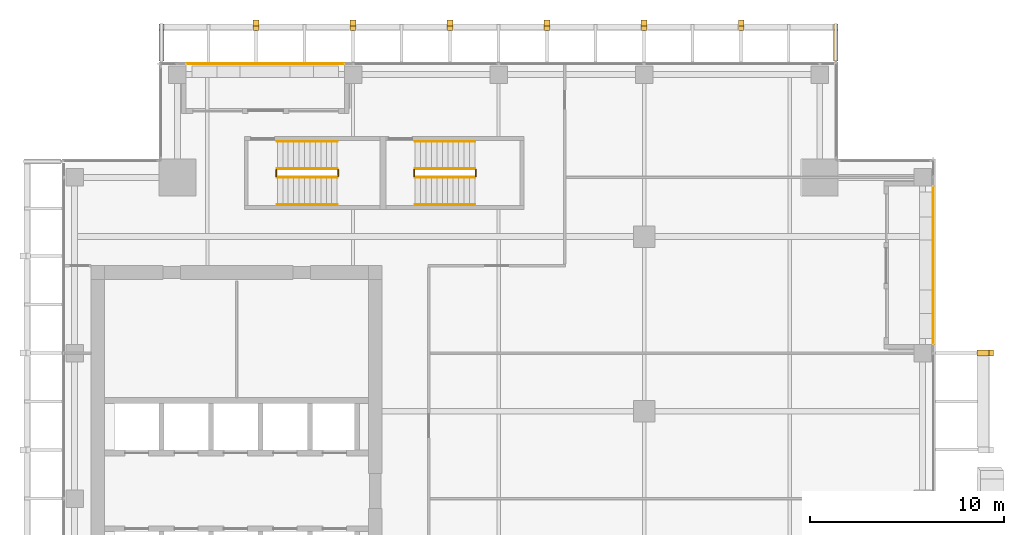
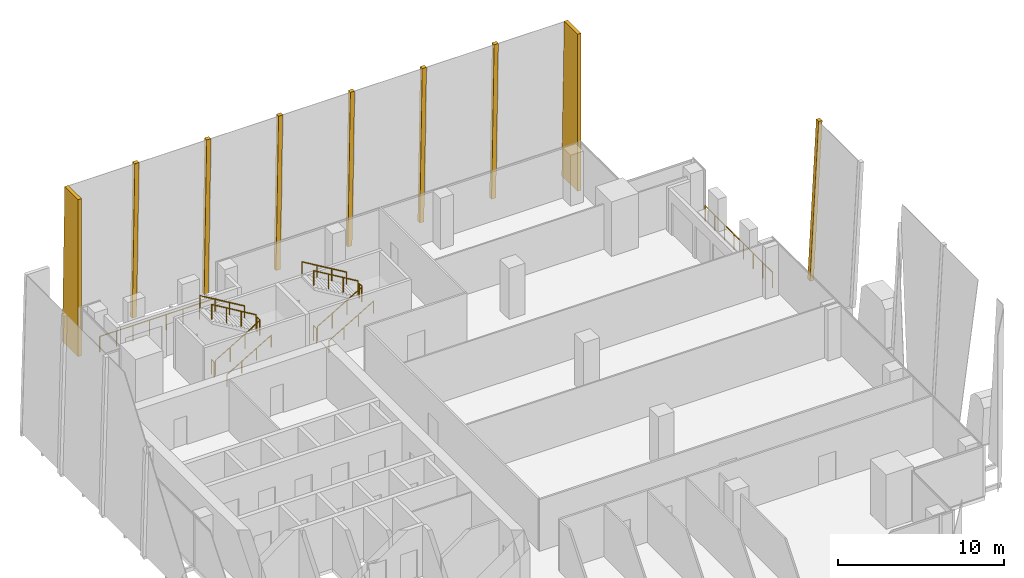
# One storey, part 34 of 35: 14 railings, 9 coverings.
"""IFC4 building model written with IfcOpenShell, lengths in metres."""

import ifcopenshell
import ifcopenshell.guid

model = None  # the IFC model being written
_history = None  # IfcOwnerHistory: only IFC2X3 demands one
_inside = {}  # id of a spatial element -> (the spatial element, [elements in it])
_under = {}  # id of a project, library or spatial element -> (it, [spatial elements below it])
_declared = {}  # id of a project -> (the project, [libraries it declares])
_typed = {}  # id of a type object -> (the type object, [elements of that type])
_made_of = {}  # id of a material, layer set ... -> (it, [elements and type objects made of it])


def new_model(schema):
    """Start an empty IFC model of exactly this schema.

    Asked for "IFC4X3", IfcOpenShell would pick the latest addendum, in which some entities
    have other attributes; the version numbers below select the first issue.
    IFC2X3 requires an IfcOwnerHistory on every rooted entity: one is made here for all.
    """
    global model, _history
    if schema == "IFC4X3":
        model = ifcopenshell.file(schema_version=(4, 3, 0, 0))
    else:
        model = ifcopenshell.file(schema=schema)
    _inside.clear()
    _under.clear()
    _declared.clear()
    _typed.clear()
    _made_of.clear()
    _history = None
    if model.schema == "IFC2X3":
        org = make("IfcOrganization", Name="unknown")
        user = make(
            "IfcPersonAndOrganization",
            ThePerson=make("IfcPerson", FamilyName="unknown"),
            TheOrganization=org,
        )
        app = make(
            "IfcApplication",
            ApplicationDeveloper=org,
            Version="unknown",
            ApplicationFullName="unknown",
            ApplicationIdentifier="unknown",
        )
        _history = make(
            "IfcOwnerHistory",
            OwningUser=user,
            OwningApplication=app,
            ChangeAction="ADDED",
            CreationDate=0,
        )
    return model


def make(cls, **values):
    """One entity of the class cls with the attributes given. An attribute that is None is left unset."""
    return model.create_entity(
        cls, **{name: value for name, value in values.items() if value is not None}
    )


def rooted(cls, **values):
    """An entity with a GlobalId (a new one), such as an element, a storey or a relation."""
    return make(cls, GlobalId=ifcopenshell.guid.new(), OwnerHistory=_history, **values)


def si_unit(unit_type, name, prefix=None):
    """IfcSIUnit, for example si_unit("LENGTHUNIT", "METRE", prefix="MILLI")."""
    return make("IfcSIUnit", UnitType=unit_type, Prefix=prefix, Name=name)


def assignment(units):
    """IfcUnitAssignment: the units of a project."""
    return None if units is None else make("IfcUnitAssignment", Units=units)


def point(xyz):
    """IfcCartesianPoint."""
    return None if xyz is None else make("IfcCartesianPoint", Coordinates=xyz)


def direction(xyz):
    """IfcDirection."""
    return None if xyz is None else make("IfcDirection", DirectionRatios=xyz)


def frame(location, z_axis=None, x_axis=None):
    """IfcAxis2Placement3D, a coordinate frame: its origin and axes. An axis left out is left unset."""
    return make(
        "IfcAxis2Placement3D",
        Location=point(location),
        Axis=direction(z_axis),
        RefDirection=direction(x_axis),
    )


def frame_2d(location, x_axis=None):
    """IfcAxis2Placement2D, a coordinate frame in the plane: its origin and x axis."""
    return make(
        "IfcAxis2Placement2D", Location=point(location), RefDirection=direction(x_axis)
    )


def origin():
    """The frame at (0, 0, 0) with its axes left unset."""
    return frame((0.0, 0.0, 0.0))


def origin_2d():
    """The frame at (0, 0) in the plane with its x axis left unset."""
    return frame_2d((0.0, 0.0))


def place(relative_to, where):
    """IfcLocalPlacement: puts the frame where relative to a parent placement (None: the world)."""
    return make(
        "IfcLocalPlacement", PlacementRelTo=relative_to, RelativePlacement=where
    )


def context(
    kind, dimensions, precision=None, world=None, true_north=None, identifier=None
):
    """IfcGeometricRepresentationContext, for example the 3D "Model" context."""
    return make(
        "IfcGeometricRepresentationContext",
        ContextIdentifier=identifier,
        ContextType=kind,
        CoordinateSpaceDimension=dimensions,
        Precision=precision,
        WorldCoordinateSystem=world,
        TrueNorth=true_north,
    )


def subcontext(parent, identifier, kind, view, scale=None):
    """IfcGeometricRepresentationSubContext, for example "Body" below "Model"."""
    return make(
        "IfcGeometricRepresentationSubContext",
        ContextIdentifier=identifier,
        ContextType=kind,
        ParentContext=parent,
        TargetScale=scale,
        TargetView=view,
    )


def project(units=None, contexts=None):
    """IfcProject with its units and contexts."""
    return rooted(
        "IfcProject",
        Name="project",
        RepresentationContexts=contexts,
        UnitsInContext=assignment(units),
    )


def spatial(cls, under=None, at=None, **own):
    """A site, building, storey or space (cls), placed at a placement, below another one or the project."""
    s = rooted(cls, ObjectPlacement=at, **own)
    if under is not None:
        _under.setdefault(under.id(), (under, []))[1].append(s)
    return s


def polyline(points):
    """IfcPolyline through the points."""
    return make("IfcPolyline", Points=[point(p) for p in points])


def profile(cls, at=None, kind="AREA", **sizes):
    """A parametric profile (cls). Its sizes go by their IFC names, for example OverallWidth=200.0."""
    return make(cls, ProfileType=kind, Position=at, **sizes)


def circle(**sizes):
    """IfcCircleProfileDef."""
    return profile("IfcCircleProfileDef", **sizes)


def outline(outer, holes=None, kind="AREA"):
    """IfcArbitraryClosedProfileDef: a profile drawn as a closed curve; with holes, ...WithVoids."""
    if holes is None:
        return make("IfcArbitraryClosedProfileDef", ProfileType=kind, OuterCurve=outer)
    return make(
        "IfcArbitraryProfileDefWithVoids",
        ProfileType=kind,
        OuterCurve=outer,
        InnerCurves=holes,
    )


def extrude(swept, where, along, depth):
    """IfcExtrudedAreaSolid: the profile swept, set in the frame where, extruded along a direction by depth."""
    return make(
        "IfcExtrudedAreaSolid",
        SweptArea=swept,
        Position=where,
        ExtrudedDirection=direction(along),
        Depth=depth,
    )


def shape(context_of_items, identifier, shape_type, items):
    """IfcShapeRepresentation: the items that make up one representation, for example the "Body"."""
    return make(
        "IfcShapeRepresentation",
        ContextOfItems=context_of_items,
        RepresentationIdentifier=identifier,
        RepresentationType=shape_type,
        Items=items,
    )


def source(mapping_origin, context_of_items, identifier, shape_type, items):
    """IfcRepresentationMap: a shape defined once, which mapped items show again and again."""
    return make(
        "IfcRepresentationMap",
        MappingOrigin=mapping_origin,
        MappedRepresentation=shape(context_of_items, identifier, shape_type, items),
    )


def transform(
    local_origin,
    x_axis=None,
    y_axis=None,
    z_axis=None,
    scale=None,
    scale2=None,
    scale3=None,
    uniform=True,
):
    """IfcCartesianTransformationOperator3D, or its non-uniform kind. x_axis, y_axis, z_axis: its Axis1, 2, 3."""
    if uniform:
        return make(
            "IfcCartesianTransformationOperator3D",
            Axis1=direction(x_axis),
            Axis2=direction(y_axis),
            LocalOrigin=point(local_origin),
            Scale=scale,
            Axis3=direction(z_axis),
        )
    return make(
        "IfcCartesianTransformationOperator3DnonUniform",
        Axis1=direction(x_axis),
        Axis2=direction(y_axis),
        LocalOrigin=point(local_origin),
        Scale=scale,
        Axis3=direction(z_axis),
        Scale2=scale2,
        Scale3=scale3,
    )


def mapped(mapping_source, mapping_target):
    """IfcMappedItem: shows the shape of a source again, moved by a transform."""
    return make(
        "IfcMappedItem", MappingSource=mapping_source, MappingTarget=mapping_target
    )


def material(Name=None, Category=None):
    """IfcMaterial."""
    return make("IfcMaterial", Name=Name, Category=Category)


def layer(
    of_material, thickness, ventilated=None, Name=None, Category=None, Priority=None
):
    """IfcMaterialLayer: one layer of a wall or slab, of a material (None: an air gap)."""
    return make(
        "IfcMaterialLayer",
        Material=of_material,
        LayerThickness=thickness,
        IsVentilated=ventilated,
        Name=Name,
        Category=Category,
        Priority=Priority,
    )


def layer_set(layers, Name=None):
    """IfcMaterialLayerSet."""
    return make("IfcMaterialLayerSet", MaterialLayers=layers, LayerSetName=Name)


def made_of(thing, what):
    """Note that an element or type object is made of a material, layer set ...; save() writes the relation."""
    if what is not None:
        _made_of.setdefault(what.id(), (what, []))[1].append(thing)
    return thing


def type_object(cls, material=None, **own):
    """A type object (cls), such as IfcWallType, which elements share."""
    return made_of(rooted(cls, **own), material)


def element(
    cls,
    number,
    at=None,
    inside=None,
    cuts=None,
    type_object=None,
    material=None,
    context=None,
    identifier="Body",
    shape_type=None,
    held_by="IfcProductDefinitionShape",
    body=None,
    shapes=None,
    **own,
):
    """One element of the class cls, such as IfcWall. Its Tag is "e" and its number.

    at: its placement. inside: the storey or other place that contains it. cuts: it is an
    opening in that element (IfcRelVoidsElement). A single representation is given by context,
    identifier, shape_type and body (its items); several are given by shapes. held_by: the class
    of the entity that holds the representations. save() writes the other relations.
    """
    e = rooted(cls, Tag="e%d" % number, ObjectPlacement=at, **own)
    if body is not None:
        shapes = [shape(context, identifier, shape_type, body)]
    if shapes is not None:
        e.Representation = make(held_by, Representations=shapes)
    if inside is not None:
        _inside.setdefault(inside.id(), (inside, []))[1].append(e)
    if cuts is not None:
        rooted(
            "IfcRelVoidsElement", RelatingBuildingElement=cuts, RelatedOpeningElement=e
        )
    if type_object is not None:
        _typed.setdefault(type_object.id(), (type_object, []))[1].append(e)
    return made_of(e, material)


def aggregate(whole, parts):
    """IfcRelAggregates: a whole, such as a stair, and the parts it consists of."""
    return rooted("IfcRelAggregates", RelatingObject=whole, RelatedObjects=parts)


def save(model, path):
    """Write the relations noted so far, then the file.

    IfcRelAggregates (storeys below a building ...), IfcRelContainedInSpatialStructure (elements
    in a storey), IfcRelDefinesByType, IfcRelAssociatesMaterial and IfcRelDeclares: one each for
    every whole, place, type object, material and project.
    """
    for whole, parts in _under.values():
        aggregate(whole, parts)
    for where, things in _inside.values():
        rooted(
            "IfcRelContainedInSpatialStructure",
            RelatedElements=things,
            RelatingStructure=where,
        )
    for kind, things in _typed.values():
        rooted("IfcRelDefinesByType", RelatedObjects=things, RelatingType=kind)
    for what, things in _made_of.values():
        rooted("IfcRelAssociatesMaterial", RelatedObjects=things, RelatingMaterial=what)
    for by, libraries in _declared.values():
        rooted("IfcRelDeclares", RelatingContext=by, RelatedDefinitions=libraries)
    model.write(path)


model = new_model("IFC4")

# Units and contexts
model_context = context("Model", 3, precision=1e-05, world=origin(), true_north=direction((0.0, 1.0)))
body_context = subcontext(model_context, "Body", "Model", "MODEL_VIEW")
ifc_project = project(units=[si_unit("LENGTHUNIT", "METRE"), si_unit("AREAUNIT", "SQUARE_METRE"), si_unit("VOLUMEUNIT", "CUBIC_METRE"), si_unit("PLANEANGLEUNIT", "RADIAN"), si_unit("MASSUNIT", "GRAM", prefix="KILO")], contexts=[model_context])

# Site, building, storey
site_placement = place(None, origin())
site = spatial("IfcSite", under=ifc_project, at=site_placement, CompositionType="ELEMENT")
building_placement = place(site_placement, origin())
building = spatial("IfcBuilding", under=site, at=building_placement, Name="Khomas Fold Tower", CompositionType="ELEMENT")
storey_placement = place(building_placement, frame((0.0, 0.0, 246.199951171875)))
storey = spatial("IfcBuildingStorey", under=building, at=storey_placement, Name="L55", CompositionType="ELEMENT", Elevation=246.199951171875)

# Coverings
ifc_material_1 = material(Name="Natural stone cladding", Category="masonry")
ifc_layer = layer(ifc_material_1, 0.25)
ifc_layer_set = layer_set([ifc_layer], Name="Natural stone cladding")
covering_type = type_object("IfcCoveringType", Name="SK-Karibib marble stone mullion", PredefinedType="CLADDING", material=ifc_layer_set)
covering_1_placement = place(storey_placement, frame((51.65771484375, 34.35009765625, 0.0), z_axis=(-0.99862882819, 0.0, 0.052349436554), x_axis=(0.052349436554, 0.0, 0.99862882819)))
element("IfcCovering", 1, at=covering_1_placement, inside=storey, type_object=covering_type, Name="OUTER SKIN mullion L55 EM103-10", PredefinedType="CLADDING", context=body_context, shape_type="SweptSolid", body=[
    extrude(outline(polyline([(0.0, 0.0), (11.565907674683308, 0.0), (11.565907674683308, 0.2998046875), (0.0, 0.2998046875), (0.0, 0.0)])), origin(), (0.0, 0.0, -1.0), 0.25),
])
for number, where, z_axis, x_axis, name in (
    (2, (14.35009765625, 51.660888671875, 0.006591796875), (0.0, 0.999657230839, 0.026180543005), (1.0, 0.0, 0.0), "OUTER SKIN mullion L55 N2"),
    (3, (19.35009765625, 51.660888671875, 0.006591796875), (0.0, 0.999657230839, 0.026180543005), (1.0, 0.0, 0.0), "OUTER SKIN mullion L55 N4"),
    (4, (24.35009765625, 51.660888671875, 0.006591796875), (0.0, 0.999657230839, 0.026180543005), (1.0, 0.0, 0.0), "OUTER SKIN mullion L55 N6"),
    (5, (29.35009765625, 51.660888671875, 0.006591796875), (0.0, 0.999657230839, 0.026180543005), (1.0, 0.0, 0.0), "OUTER SKIN mullion L55 N8"),
    (6, (34.35009765625, 51.660888671875, 0.006591796875), (0.0, 0.999657230839, 0.026180543005), (1.0, 0.0, 0.0), "OUTER SKIN mullion L55 N10"),
    (7, (39.35009765625, 51.660888671875, 0.006591796875), (0.0, 0.999657230839, 0.026180543005), (1.0, 0.0, 0.0), "OUTER SKIN mullion L55 N12"),
):
    element("IfcCovering", number, at=place(storey_placement, frame(where, z_axis=z_axis, x_axis=x_axis)), inside=storey, type_object=covering_type, Name=name, PredefinedType="CLADDING", context=body_context, shape_type="SweptSolid", body=[
        extrude(outline(polyline([(0.0, 0.0), (0.2998046875, 0.0), (0.2998046875, -11.554009186164079), (0.0, -11.554009186164079), (0.0, 0.0)])), origin(), (0.0, 0.0, -1.0), 0.25),
    ])
covering_2_placement = place(storey_placement, frame((9.5, 49.550048828125, 11.550048828125), z_axis=(-1.0, 0.0, 0.0), x_axis=(0.0, 1.0, 0.0)))
element("IfcCovering", 8, at=covering_2_placement, inside=storey, type_object=covering_type, Name="OUTER SKIN return L55 N1", PredefinedType="CLADDING", context=body_context, shape_type="SweptSolid", body=[
    extrude(outline(polyline([(0.0, 0.0), (1.598388671875, 0.0), (1.90087890625, 11.550048828125), (0.0, 11.550048828125), (0.0, 0.0)])), origin(), (0.0, 0.0, -1.0), 0.25),
])
covering_3_placement = place(storey_placement, frame((44.5, 49.550048828125, 0.0), z_axis=(1.0, 0.0, 0.0), x_axis=(0.0, 1.0, 0.0)))
element("IfcCovering", 9, at=covering_3_placement, inside=storey, type_object=covering_type, Name="OUTER SKIN return L55 N2", PredefinedType="CLADDING", context=body_context, shape_type="SweptSolid", body=[
    extrude(outline(polyline([(0.0, 0.0), (1.90087890625, 0.0), (1.598388671875, 11.550048828125), (0.0, 11.550048828125), (0.0, 0.0)])), origin(), (0.0, 0.0, -1.0), 0.25),
])

# Railings
ifc_material_2 = material(Name="Powder-coated steel", Category="steel")
railing_type_1 = type_object("IfcRailingType", Name="Balcony guard", PredefinedType="GUARDRAIL", material=ifc_material_2)
shared_shape_1 = source(origin(), body_context, "Body", "SweptSolid", [
    extrude(circle(Radius=0.02490234375, at=origin_2d()), frame((0.0, 0.0, 1.125), z_axis=(1.0, 0.0, 0.0), x_axis=(0.0, 1.0, 0.0)), (0.0, 0.0, 1.0), 8.090087890625),
    extrude(circle(Radius=0.02001953125, at=origin_2d()), origin(), (0.0, 0.0, 1.0), 1.099853515625),
    extrude(circle(Radius=0.02001953125, at=origin_2d()), frame((1.15576171875, 0.0, 0.0)), (0.0, 0.0, 1.0), 1.099853515625),
    extrude(circle(Radius=0.02001953125, at=origin_2d()), frame((2.3115234375, 0.0, 0.0)), (0.0, 0.0, 1.0), 1.099853515625),
    extrude(circle(Radius=0.02001953125, at=origin_2d()), frame((3.46728515625, 0.0, 0.0)), (0.0, 0.0, 1.0), 1.099853515625),
    extrude(circle(Radius=0.02001953125, at=origin_2d()), frame((4.622802734375, 0.0, 0.0)), (0.0, 0.0, 1.0), 1.099853515625),
    extrude(circle(Radius=0.02001953125, at=origin_2d()), frame((5.778564453125, 0.0, 0.0)), (0.0, 0.0, 1.0), 1.099853515625),
    extrude(circle(Radius=0.02001953125, at=origin_2d()), frame((6.934326171875, 0.0, 0.0)), (0.0, 0.0, 1.0), 1.099853515625),
    extrude(circle(Radius=0.02001953125, at=origin_2d()), frame((8.090087890625, 0.0, 0.0)), (0.0, 0.0, 1.0), 1.099853515625),
])
railing_1_placement = place(storey_placement, frame((10.929931640625, 49.39990234375, -0.044921875)))
element("IfcRailing", 10, at=railing_1_placement, inside=storey, type_object=railing_type_1, Name="Balcony guard BAL-L55-N1", PredefinedType="GUARDRAIL", context=body_context, shape_type="MappedRepresentation", body=[
    mapped(shared_shape_1, transform((0.0, 0.0, 0.0))),
])
shared_shape_2 = source(origin(), body_context, "Body", "SweptSolid", [
    extrude(circle(Radius=0.02490234375, at=origin_2d()), frame((0.0, 0.0, 1.125), z_axis=(0.0, 1.0, 0.0), x_axis=(-1.0, 0.0, 0.0)), (0.0, 0.0, 1.0), 8.090087890625),
    extrude(circle(Radius=0.02001953125, at=origin_2d()), origin(), (0.0, 0.0, 1.0), 1.099853515625),
    extrude(circle(Radius=0.02001953125, at=origin_2d()), frame((0.0, 1.15576171875, 0.0)), (0.0, 0.0, 1.0), 1.099853515625),
    extrude(circle(Radius=0.02001953125, at=origin_2d()), frame((0.0, 2.3115234375, 0.0)), (0.0, 0.0, 1.0), 1.099853515625),
    extrude(circle(Radius=0.02001953125, at=origin_2d()), frame((0.0, 3.46728515625, 0.0)), (0.0, 0.0, 1.0), 1.099853515625),
    extrude(circle(Radius=0.02001953125, at=origin_2d()), frame((0.0, 4.622802734375, 0.0)), (0.0, 0.0, 1.0), 1.099853515625),
    extrude(circle(Radius=0.02001953125, at=origin_2d()), frame((0.0, 5.778564453125, 0.0)), (0.0, 0.0, 1.0), 1.099853515625),
    extrude(circle(Radius=0.02001953125, at=origin_2d()), frame((0.0, 6.934326171875, 0.0)), (0.0, 0.0, 1.0), 1.099853515625),
    extrude(circle(Radius=0.02001953125, at=origin_2d()), frame((0.0, 8.090087890625, 0.0)), (0.0, 0.0, 1.0), 1.099853515625),
])
railing_2_placement = place(storey_placement, frame((49.39990234375, 34.97998046875, -0.044921875)))
element("IfcRailing", 11, at=railing_2_placement, inside=storey, type_object=railing_type_1, Name="Balcony guard BAL-L55-E4", PredefinedType="GUARDRAIL", context=body_context, shape_type="MappedRepresentation", body=[
    mapped(shared_shape_2, transform((0.0, 0.0, 0.0))),
])
ifc_material_3 = material(Name="Steel balustrade", Category="steel")
railing_type_2 = type_object("IfcRailingType", Name="Stair guard", PredefinedType="GUARDRAIL", material=ifc_material_3)
shared_shape_3 = source(origin(), body_context, "Body", "SweptSolid", [
    extrude(circle(Radius=0.02392578125, at=origin_2d()), frame((0.0, 0.0, 1.076171875), z_axis=(0.0, 1.0, 0.0), x_axis=(-1.0, 0.0, 0.0)), (0.0, 0.0, 1.0), 0.349853515625),
    extrude(circle(Radius=0.02099609375, at=origin_2d()), origin(), (0.0, 0.0, 1.0), 1.052001953125),
    extrude(circle(Radius=0.02099609375, at=origin_2d()), frame((0.0, 0.349853515625, 0.0)), (0.0, 0.0, 1.0), 1.052001953125),
])
for number, where, name in (
    (12, (18.72998046875, 43.60009765625, 2.0), "L55 ST1 stair guard 2"),
    (13, (15.550048828125, 43.60009765625, 0.0), "L55 ST1 stair guard 4"),
    (14, (25.830078125, 43.60009765625, 2.0), "L55 ST3 stair guard 2"),
    (15, (22.64990234375, 43.60009765625, 0.0), "L55 ST3 stair guard 4"),
):
    element("IfcRailing", number, at=place(storey_placement, frame(where)), inside=storey, type_object=railing_type_2, Name=name, PredefinedType="GUARDRAIL", context=body_context, shape_type="MappedRepresentation", body=[
        mapped(shared_shape_3, transform((0.0, 0.0, 0.0))),
    ])
shared_shape_4 = source(origin(), body_context, "Body", "SweptSolid", [
    extrude(circle(Radius=0.02392578125, at=origin_2d()), frame((0.0, 0.0, 1.076171875), z_axis=(0.859290745958, 0.0, 0.51148745235), x_axis=(0.0, 1.0, 0.0)), (0.0, 0.0, 1.0), 3.584228515625),
    extrude(circle(Radius=0.02099609375, at=origin_2d()), origin(), (0.0, 0.0, 1.0), 1.052001953125),
    extrude(circle(Radius=0.02099609375, at=origin_2d()), frame((1.026611328125, 0.0, 0.611083984375)), (0.0, 0.0, 1.0), 1.052001953125),
    extrude(circle(Radius=0.02099609375, at=origin_2d()), frame((2.05322265625, 0.0, 1.22216796875)), (0.0, 0.0, 1.0), 1.052001953125),
    extrude(circle(Radius=0.02099609375, at=origin_2d()), frame((3.079833984375, 0.0, 1.833251953125)), (0.0, 0.0, 1.0), 1.052001953125),
])
railing_3_placement = place(storey_placement, frame((15.60009765625, 43.550048828125, 0.166748046875)))
element("IfcRailing", 16, at=railing_3_placement, inside=storey, type_object=railing_type_2, Name="L55 ST1 stair guard 1", PredefinedType="GUARDRAIL", context=body_context, shape_type="MappedRepresentation", body=[
    mapped(shared_shape_4, transform((0.0, 0.0, 0.0))),
])
shared_shape_5 = source(origin(), body_context, "Body", "SweptSolid", [
    extrude(circle(Radius=0.02392578125, at=origin_2d()), frame((0.0, 0.0, 1.076171875), z_axis=(-0.859290745958, 0.0, 0.51148745235), x_axis=(0.0, -1.0, 0.0)), (0.0, 0.0, 1.0), 3.584228515625),
    extrude(circle(Radius=0.02099609375, at=origin_2d()), origin(), (0.0, 0.0, 1.0), 1.052001953125),
    extrude(circle(Radius=0.02099609375, at=origin_2d()), frame((-1.026611328125, 0.0, 0.611083984375)), (0.0, 0.0, 1.0), 1.052001953125),
    extrude(circle(Radius=0.02099609375, at=origin_2d()), frame((-2.05322265625, 0.0, 1.22216796875)), (0.0, 0.0, 1.0), 1.052001953125),
    extrude(circle(Radius=0.02099609375, at=origin_2d()), frame((-3.079833984375, 0.0, 1.833251953125)), (0.0, 0.0, 1.0), 1.052001953125),
])
railing_4_placement = place(storey_placement, frame((18.679931640625, 44.0, 2.166748046875)))
element("IfcRailing", 17, at=railing_4_placement, inside=storey, type_object=railing_type_2, Name="L55 ST1 stair guard 3", PredefinedType="GUARDRAIL", context=body_context, shape_type="MappedRepresentation", body=[
    mapped(shared_shape_5, transform((0.0, 0.0, 0.0))),
])
ifc_material_4 = material(Name="Steel handrail", Category="steel")
railing_type_3 = type_object("IfcRailingType", Name="Stair handrail", PredefinedType="HANDRAIL", material=ifc_material_4)
shared_shape_6 = source(origin(), body_context, "Body", "SweptSolid", [
    extrude(circle(Radius=0.02392578125, at=origin_2d()), frame((0.0, 0.0, 0.8759765625), z_axis=(0.859290745958, 0.0, 0.51148745235), x_axis=(0.0, 1.0, 0.0)), (0.0, 0.0, 1.0), 3.584228515625),
    extrude(circle(Radius=0.02099609375, at=origin_2d()), origin(), (0.0, 0.0, 1.0), 0.851806640625),
    extrude(circle(Radius=0.02099609375, at=origin_2d()), frame((1.026611328125, 0.0, 0.611083984375)), (0.0, 0.0, 1.0), 0.851806640625),
    extrude(circle(Radius=0.02099609375, at=origin_2d()), frame((2.05322265625, 0.0, 1.22216796875)), (0.0, 0.0, 1.0), 0.851806640625),
    extrude(circle(Radius=0.02099609375, at=origin_2d()), frame((3.079833984375, 0.0, 1.833251953125)), (0.0, 0.0, 1.0), 0.851806640625),
])
railing_5_placement = place(storey_placement, frame((15.60009765625, 42.14990234375, 0.166748046875)))
element("IfcRailing", 18, at=railing_5_placement, inside=storey, type_object=railing_type_3, Name="L55 ST1 stair handrail 1", PredefinedType="HANDRAIL", context=body_context, shape_type="MappedRepresentation", body=[
    mapped(shared_shape_6, transform((0.0, 0.0, 0.0))),
])
shared_shape_7 = source(origin(), body_context, "Body", "SweptSolid", [
    extrude(circle(Radius=0.02392578125, at=origin_2d()), frame((0.0, 0.0, 0.8759765625), z_axis=(-0.859290745958, 0.0, 0.51148745235), x_axis=(0.0, -1.0, 0.0)), (0.0, 0.0, 1.0), 3.584228515625),
    extrude(circle(Radius=0.02099609375, at=origin_2d()), origin(), (0.0, 0.0, 1.0), 0.851806640625),
    extrude(circle(Radius=0.02099609375, at=origin_2d()), frame((-1.026611328125, 0.0, 0.611083984375)), (0.0, 0.0, 1.0), 0.851806640625),
    extrude(circle(Radius=0.02099609375, at=origin_2d()), frame((-2.05322265625, 0.0, 1.22216796875)), (0.0, 0.0, 1.0), 0.851806640625),
    extrude(circle(Radius=0.02099609375, at=origin_2d()), frame((-3.079833984375, 0.0, 1.833251953125)), (0.0, 0.0, 1.0), 0.851806640625),
])
railing_6_placement = place(storey_placement, frame((18.679931640625, 45.39990234375, 2.166748046875)))
element("IfcRailing", 19, at=railing_6_placement, inside=storey, type_object=railing_type_3, Name="L55 ST1 stair handrail 2", PredefinedType="HANDRAIL", context=body_context, shape_type="MappedRepresentation", body=[
    mapped(shared_shape_7, transform((0.0, 0.0, 0.0))),
])
shared_shape_8 = source(origin(), body_context, "Body", "SweptSolid", [
    extrude(circle(Radius=0.02392578125, at=origin_2d()), frame((0.0, 0.0, 1.076171875), z_axis=(0.859308565015, 0.0, 0.511457515432), x_axis=(0.0, 1.0, 0.0)), (0.0, 0.0, 1.0), 3.58447265625),
    extrude(circle(Radius=0.02099609375, at=origin_2d()), origin(), (0.0, 0.0, 1.0), 1.052001953125),
    extrude(circle(Radius=0.02099609375, at=origin_2d()), frame((1.026611328125, 0.0, 0.611083984375)), (0.0, 0.0, 1.0), 1.052001953125),
    extrude(circle(Radius=0.02099609375, at=origin_2d()), frame((2.053466796875, 0.0, 1.22216796875)), (0.0, 0.0, 1.0), 1.052001953125),
    extrude(circle(Radius=0.02099609375, at=origin_2d()), frame((3.080078125, 0.0, 1.833251953125)), (0.0, 0.0, 1.0), 1.052001953125),
])
railing_7_placement = place(storey_placement, frame((22.699951171875, 43.550048828125, 0.166748046875)))
element("IfcRailing", 20, at=railing_7_placement, inside=storey, type_object=railing_type_2, Name="L55 ST3 stair guard 1", PredefinedType="GUARDRAIL", context=body_context, shape_type="MappedRepresentation", body=[
    mapped(shared_shape_8, transform((0.0, 0.0, 0.0))),
])
shared_shape_9 = source(origin(), body_context, "Body", "SweptSolid", [
    extrude(circle(Radius=0.02392578125, at=origin_2d()), frame((0.0, 0.0, 1.076171875), z_axis=(-0.859308565015, 0.0, 0.511457515432), x_axis=(0.0, -1.0, 0.0)), (0.0, 0.0, 1.0), 3.58447265625),
    extrude(circle(Radius=0.02099609375, at=origin_2d()), origin(), (0.0, 0.0, 1.0), 1.052001953125),
    extrude(circle(Radius=0.02099609375, at=origin_2d()), frame((-1.026611328125, 0.0, 0.611083984375)), (0.0, 0.0, 1.0), 1.052001953125),
    extrude(circle(Radius=0.02099609375, at=origin_2d()), frame((-2.053466796875, 0.0, 1.22216796875)), (0.0, 0.0, 1.0), 1.052001953125),
    extrude(circle(Radius=0.02099609375, at=origin_2d()), frame((-3.080078125, 0.0, 1.833251953125)), (0.0, 0.0, 1.0), 1.052001953125),
])
railing_8_placement = place(storey_placement, frame((25.780029296875, 44.0, 2.166748046875)))
element("IfcRailing", 21, at=railing_8_placement, inside=storey, type_object=railing_type_2, Name="L55 ST3 stair guard 3", PredefinedType="GUARDRAIL", context=body_context, shape_type="MappedRepresentation", body=[
    mapped(shared_shape_9, transform((0.0, 0.0, 0.0))),
])
shared_shape_10 = source(origin(), body_context, "Body", "SweptSolid", [
    extrude(circle(Radius=0.02392578125, at=origin_2d()), frame((0.0, 0.0, 0.8759765625), z_axis=(0.859308565015, 0.0, 0.511457515432), x_axis=(0.0, 1.0, 0.0)), (0.0, 0.0, 1.0), 3.58447265625),
    extrude(circle(Radius=0.02099609375, at=origin_2d()), origin(), (0.0, 0.0, 1.0), 0.851806640625),
    extrude(circle(Radius=0.02099609375, at=origin_2d()), frame((1.026611328125, 0.0, 0.611083984375)), (0.0, 0.0, 1.0), 0.851806640625),
    extrude(circle(Radius=0.02099609375, at=origin_2d()), frame((2.053466796875, 0.0, 1.22216796875)), (0.0, 0.0, 1.0), 0.851806640625),
    extrude(circle(Radius=0.02099609375, at=origin_2d()), frame((3.080078125, 0.0, 1.833251953125)), (0.0, 0.0, 1.0), 0.851806640625),
])
railing_9_placement = place(storey_placement, frame((22.699951171875, 42.14990234375, 0.166748046875)))
element("IfcRailing", 22, at=railing_9_placement, inside=storey, type_object=railing_type_3, Name="L55 ST3 stair handrail 1", PredefinedType="HANDRAIL", context=body_context, shape_type="MappedRepresentation", body=[
    mapped(shared_shape_10, transform((0.0, 0.0, 0.0))),
])
shared_shape_11 = source(origin(), body_context, "Body", "SweptSolid", [
    extrude(circle(Radius=0.02392578125, at=origin_2d()), frame((0.0, 0.0, 0.8759765625), z_axis=(-0.859308565015, 0.0, 0.511457515432), x_axis=(0.0, -1.0, 0.0)), (0.0, 0.0, 1.0), 3.58447265625),
    extrude(circle(Radius=0.02099609375, at=origin_2d()), origin(), (0.0, 0.0, 1.0), 0.851806640625),
    extrude(circle(Radius=0.02099609375, at=origin_2d()), frame((-1.026611328125, 0.0, 0.611083984375)), (0.0, 0.0, 1.0), 0.851806640625),
    extrude(circle(Radius=0.02099609375, at=origin_2d()), frame((-2.053466796875, 0.0, 1.22216796875)), (0.0, 0.0, 1.0), 0.851806640625),
    extrude(circle(Radius=0.02099609375, at=origin_2d()), frame((-3.080078125, 0.0, 1.833251953125)), (0.0, 0.0, 1.0), 0.851806640625),
])
railing_10_placement = place(storey_placement, frame((25.780029296875, 45.39990234375, 2.166748046875)))
element("IfcRailing", 23, at=railing_10_placement, inside=storey, type_object=railing_type_3, Name="L55 ST3 stair handrail 2", PredefinedType="HANDRAIL", context=body_context, shape_type="MappedRepresentation", body=[
    mapped(shared_shape_11, transform((0.0, 0.0, 0.0))),
])

save(model, "model.ifc")
